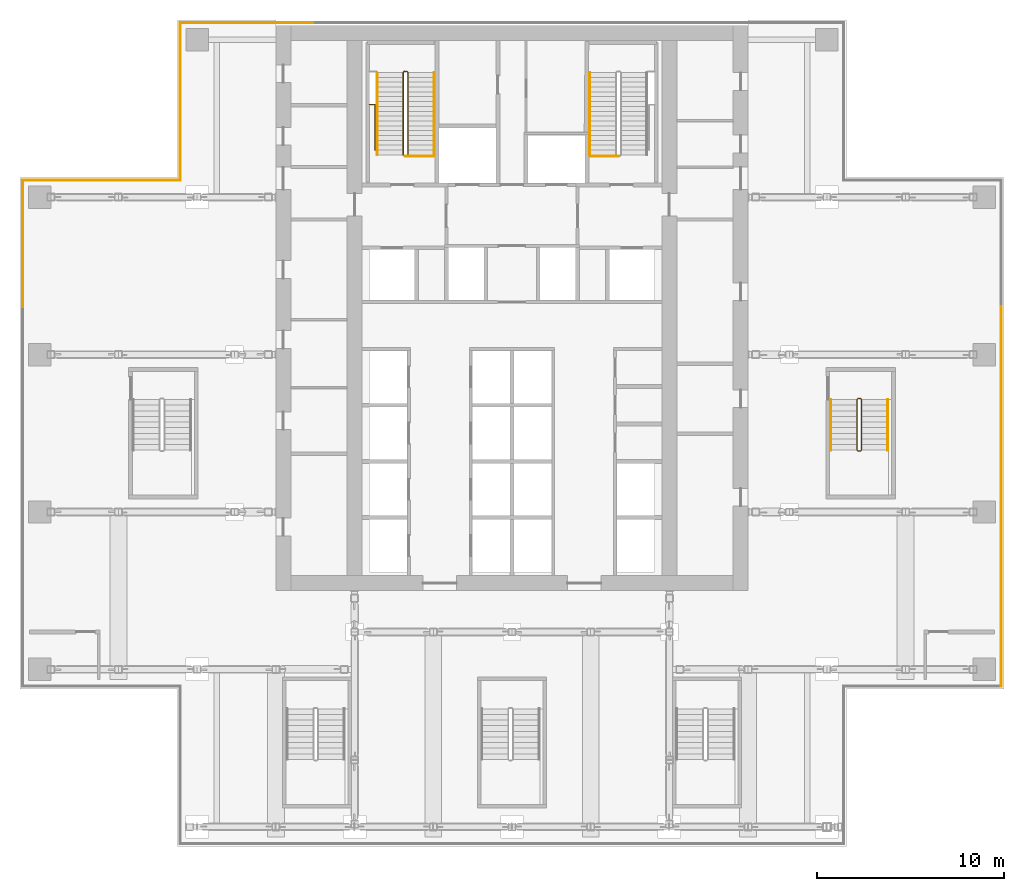
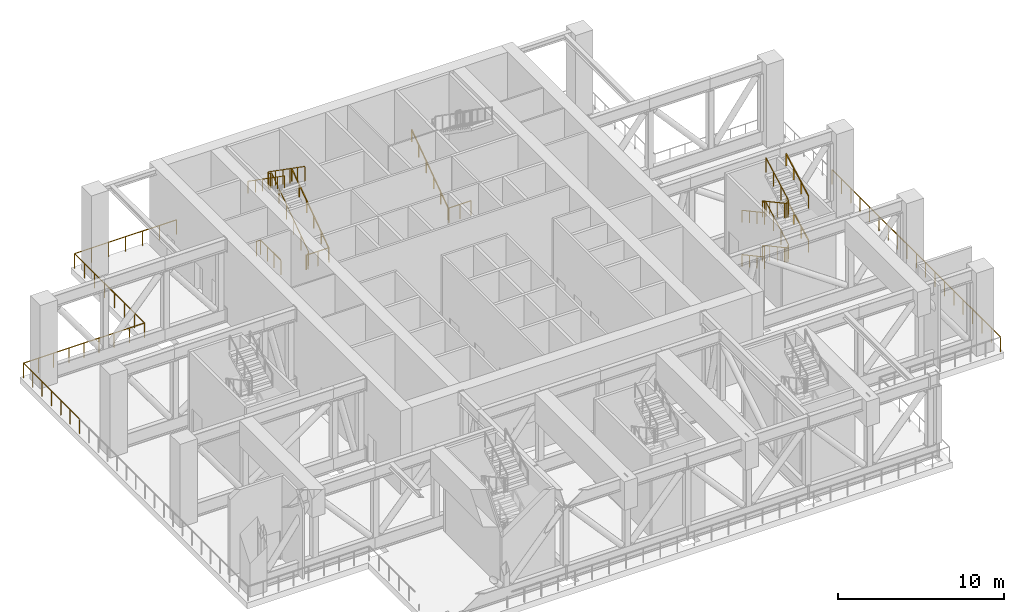
# One storey, part 22 of 23: 19 railings.
"""IFC4 building model written with IfcOpenShell, lengths in metres."""

from ifc_helpers import new_model, si_unit, direction, frame, origin, origin_2d, place, context, subcontext, project, spatial, rectangle, extrude, material, type_object, element, save


model = new_model("IFC4")

# Units and contexts
model_context = context("Model", 3, precision=1e-05, world=origin(), true_north=direction((0.0, 1.0)))
body_context = subcontext(model_context, "Body", "Model", "MODEL_VIEW")
ifc_project = project(units=[si_unit("LENGTHUNIT", "METRE"), si_unit("AREAUNIT", "SQUARE_METRE"), si_unit("VOLUMEUNIT", "CUBIC_METRE"), si_unit("PLANEANGLEUNIT", "RADIAN"), si_unit("MASSUNIT", "GRAM", prefix="KILO")], contexts=[model_context])

# Site, building, storey
site_placement = place(None, origin())
site = spatial("IfcSite", under=ifc_project, at=site_placement, CompositionType="ELEMENT")
building_placement = place(site_placement, origin())
building = spatial("IfcBuilding", under=site, at=building_placement, Name="Vermilion Ogive Tower", CompositionType="ELEMENT")
storey_placement = place(building_placement, frame((0.0, 0.0, 121.800048828125)))
storey = spatial("IfcBuildingStorey", under=building, at=storey_placement, Name="L31", CompositionType="ELEMENT", Elevation=121.800048828125)

# Railings
ifc_material_1 = material(Name="Stainless steel and glass", Category="steel")
railing_type_1 = type_object("IfcRailingType", Name="Edge guard", PredefinedType="GUARDRAIL", material=ifc_material_1)
railing_1_placement = place(storey_placement, frame((-26.10009765625, 6.75, 0.0)))
element("IfcRailing", 1, at=railing_1_placement, inside=storey, type_object=railing_type_1, Name="Open edge guard L31 3.4", PredefinedType="GUARDRAIL", context=body_context, shape_type="SweptSolid", body=[
    extrude(rectangle(XDim=0.048095703125, YDim=0.048095703125, at=origin_2d()), frame((0.0, 0.0, 1.076171875), z_axis=(0.0, 1.0, 0.0), x_axis=(-1.0, 0.0, 0.0)), (0.0, 0.0, 1.0), 6.75),
    extrude(rectangle(XDim=0.0419921875, YDim=0.0419921875, at=origin_2d()), origin(), (0.0, 0.0, 1.0), 1.052001953125),
    extrude(rectangle(XDim=0.0419921875, YDim=0.0419921875, at=origin_2d()), frame((0.0, 1.125, 0.0)), (0.0, 0.0, 1.0), 1.052001953125),
    extrude(rectangle(XDim=0.0419921875, YDim=0.0419921875, at=origin_2d()), frame((0.0, 2.25, 0.0)), (0.0, 0.0, 1.0), 1.052001953125),
    extrude(rectangle(XDim=0.0419921875, YDim=0.0419921875, at=origin_2d()), frame((0.0, 3.375, 0.0)), (0.0, 0.0, 1.0), 1.052001953125),
    extrude(rectangle(XDim=0.0419921875, YDim=0.0419921875, at=origin_2d()), frame((0.0, 4.5, 0.0)), (0.0, 0.0, 1.0), 1.052001953125),
    extrude(rectangle(XDim=0.0419921875, YDim=0.0419921875, at=origin_2d()), frame((0.0, 5.625, 0.0)), (0.0, 0.0, 1.0), 1.052001953125),
    extrude(rectangle(XDim=0.0419921875, YDim=0.0419921875, at=origin_2d()), frame((0.0, 6.75, 0.0)), (0.0, 0.0, 1.0), 1.052001953125),
])
railing_2_placement = place(storey_placement, frame((-26.10009765625, 13.5, 0.0)))
element("IfcRailing", 2, at=railing_2_placement, inside=storey, type_object=railing_type_1, Name="Open edge guard L31 4.1", PredefinedType="GUARDRAIL", context=body_context, shape_type="SweptSolid", body=[
    extrude(rectangle(XDim=0.048095703125, YDim=0.048095703125, at=origin_2d()), frame((0.0, 0.0, 1.076171875), z_axis=(1.0, 0.0, 0.0), x_axis=(0.0, 1.0, 0.0)), (0.0, 0.0, 1.0), 8.400146484375),
    extrude(rectangle(XDim=0.0419921875, YDim=0.0419921875, at=origin_2d()), origin(), (0.0, 0.0, 1.0), 1.052001953125),
    extrude(rectangle(XDim=0.0419921875, YDim=0.0419921875, at=origin_2d()), frame((1.050048828125, 0.0, 0.0)), (0.0, 0.0, 1.0), 1.052001953125),
    extrude(rectangle(XDim=0.0419921875, YDim=0.0419921875, at=origin_2d()), frame((2.10009765625, 0.0, 0.0)), (0.0, 0.0, 1.0), 1.052001953125),
    extrude(rectangle(XDim=0.0419921875, YDim=0.0419921875, at=origin_2d()), frame((3.150146484375, 0.0, 0.0)), (0.0, 0.0, 1.0), 1.052001953125),
    extrude(rectangle(XDim=0.0419921875, YDim=0.0419921875, at=origin_2d()), frame((4.2001953125, 0.0, 0.0)), (0.0, 0.0, 1.0), 1.052001953125),
    extrude(rectangle(XDim=0.0419921875, YDim=0.0419921875, at=origin_2d()), frame((5.25, 0.0, 0.0)), (0.0, 0.0, 1.0), 1.052001953125),
    extrude(rectangle(XDim=0.0419921875, YDim=0.0419921875, at=origin_2d()), frame((6.300048828125, 0.0, 0.0)), (0.0, 0.0, 1.0), 1.052001953125),
    extrude(rectangle(XDim=0.0419921875, YDim=0.0419921875, at=origin_2d()), frame((7.35009765625, 0.0, 0.0)), (0.0, 0.0, 1.0), 1.052001953125),
    extrude(rectangle(XDim=0.0419921875, YDim=0.0419921875, at=origin_2d()), frame((8.400146484375, 0.0, 0.0)), (0.0, 0.0, 1.0), 1.052001953125),
])
railing_3_placement = place(storey_placement, frame((-17.699951171875, 13.5, 0.0)))
element("IfcRailing", 3, at=railing_3_placement, inside=storey, type_object=railing_type_1, Name="Open edge guard L31 5.1", PredefinedType="GUARDRAIL", context=body_context, shape_type="SweptSolid", body=[
    extrude(rectangle(XDim=0.048095703125, YDim=0.048095703125, at=origin_2d()), frame((0.0, 0.0, 1.076171875), z_axis=(0.0, 1.0, 0.0), x_axis=(-1.0, 0.0, 0.0)), (0.0, 0.0, 1.0), 8.39990234375),
    extrude(rectangle(XDim=0.0419921875, YDim=0.0419921875, at=origin_2d()), origin(), (0.0, 0.0, 1.0), 1.052001953125),
    extrude(rectangle(XDim=0.0419921875, YDim=0.0419921875, at=origin_2d()), frame((0.0, 1.199951171875, 0.0)), (0.0, 0.0, 1.0), 1.052001953125),
    extrude(rectangle(XDim=0.0419921875, YDim=0.0419921875, at=origin_2d()), frame((0.0, 2.39990234375, 0.0)), (0.0, 0.0, 1.0), 1.052001953125),
    extrude(rectangle(XDim=0.0419921875, YDim=0.0419921875, at=origin_2d()), frame((0.0, 3.599853515625, 0.0)), (0.0, 0.0, 1.0), 1.052001953125),
    extrude(rectangle(XDim=0.0419921875, YDim=0.0419921875, at=origin_2d()), frame((0.0, 4.800048828125, 0.0)), (0.0, 0.0, 1.0), 1.052001953125),
    extrude(rectangle(XDim=0.0419921875, YDim=0.0419921875, at=origin_2d()), frame((0.0, 6.0, 0.0)), (0.0, 0.0, 1.0), 1.052001953125),
    extrude(rectangle(XDim=0.0419921875, YDim=0.0419921875, at=origin_2d()), frame((0.0, 7.199951171875, 0.0)), (0.0, 0.0, 1.0), 1.052001953125),
    extrude(rectangle(XDim=0.0419921875, YDim=0.0419921875, at=origin_2d()), frame((0.0, 8.39990234375, 0.0)), (0.0, 0.0, 1.0), 1.052001953125),
])
railing_4_placement = place(storey_placement, frame((-17.699951171875, 21.89990234375, 0.0)))
element("IfcRailing", 4, at=railing_4_placement, inside=storey, type_object=railing_type_1, Name="Open edge guard L31 6.1", PredefinedType="GUARDRAIL", context=body_context, shape_type="SweptSolid", body=[
    extrude(rectangle(XDim=0.048095703125, YDim=0.048095703125, at=origin_2d()), frame((0.0, 0.0, 1.076171875), z_axis=(1.0, 0.0, 0.0), x_axis=(0.0, 1.0, 0.0)), (0.0, 0.0, 1.0), 7.079833984375),
    extrude(rectangle(XDim=0.0419921875, YDim=0.0419921875, at=origin_2d()), origin(), (0.0, 0.0, 1.0), 1.052001953125),
    extrude(rectangle(XDim=0.0419921875, YDim=0.0419921875, at=origin_2d()), frame((1.179931640625, 0.0, 0.0)), (0.0, 0.0, 1.0), 1.052001953125),
    extrude(rectangle(XDim=0.0419921875, YDim=0.0419921875, at=origin_2d()), frame((2.35986328125, 0.0, 0.0)), (0.0, 0.0, 1.0), 1.052001953125),
    extrude(rectangle(XDim=0.0419921875, YDim=0.0419921875, at=origin_2d()), frame((3.5400390625, 0.0, 0.0)), (0.0, 0.0, 1.0), 1.052001953125),
    extrude(rectangle(XDim=0.0419921875, YDim=0.0419921875, at=origin_2d()), frame((4.719970703125, 0.0, 0.0)), (0.0, 0.0, 1.0), 1.052001953125),
    extrude(rectangle(XDim=0.0419921875, YDim=0.0419921875, at=origin_2d()), frame((5.89990234375, 0.0, 0.0)), (0.0, 0.0, 1.0), 1.052001953125),
    extrude(rectangle(XDim=0.0419921875, YDim=0.0419921875, at=origin_2d()), frame((7.079833984375, 0.0, 0.0)), (0.0, 0.0, 1.0), 1.052001953125),
])
for number, where, name in (
    (5, (26.10009765625, 6.75, 0.0), "Open edge guard L31 9.2"),
    (6, (26.10009765625, 0.0, 0.0), "Open edge guard L31 9.3"),
    (7, (26.10009765625, -6.75, 0.0), "Open edge guard L31 9.4"),
):
    element("IfcRailing", number, at=place(storey_placement, frame(where)), inside=storey, type_object=railing_type_1, Name=name, PredefinedType="GUARDRAIL", context=body_context, shape_type="SweptSolid", body=[
        extrude(rectangle(XDim=0.048095703125, YDim=0.048095703125, at=origin_2d()), frame((0.0, 0.0, 1.076171875), z_axis=(0.0, -1.0, 0.0), x_axis=(1.0, 0.0, 0.0)), (0.0, 0.0, 1.0), 6.75),
        extrude(rectangle(XDim=0.0419921875, YDim=0.0419921875, at=origin_2d()), origin(), (0.0, 0.0, 1.0), 1.052001953125),
        extrude(rectangle(XDim=0.0419921875, YDim=0.0419921875, at=origin_2d()), frame((0.0, -1.125, 0.0)), (0.0, 0.0, 1.0), 1.052001953125),
        extrude(rectangle(XDim=0.0419921875, YDim=0.0419921875, at=origin_2d()), frame((0.0, -2.25, 0.0)), (0.0, 0.0, 1.0), 1.052001953125),
        extrude(rectangle(XDim=0.0419921875, YDim=0.0419921875, at=origin_2d()), frame((0.0, -3.375, 0.0)), (0.0, 0.0, 1.0), 1.052001953125),
        extrude(rectangle(XDim=0.0419921875, YDim=0.0419921875, at=origin_2d()), frame((0.0, -4.5, 0.0)), (0.0, 0.0, 1.0), 1.052001953125),
        extrude(rectangle(XDim=0.0419921875, YDim=0.0419921875, at=origin_2d()), frame((0.0, -5.625, 0.0)), (0.0, 0.0, 1.0), 1.052001953125),
        extrude(rectangle(XDim=0.0419921875, YDim=0.0419921875, at=origin_2d()), frame((0.0, -6.75, 0.0)), (0.0, 0.0, 1.0), 1.052001953125),
    ])
ifc_material_2 = material(Name="Steel S355 painted", Category="steel")
railing_type_2 = type_object("IfcRailingType", Name="Stair guard 1100", PredefinedType="GUARDRAIL", material=ifc_material_2)
railing_5_placement = place(storey_placement, frame((-5.75, 14.800048828125, 0.0)))
element("IfcRailing", 8, at=railing_5_placement, inside=storey, type_object=railing_type_2, Name="L31 ST1 stair guard 4", PredefinedType="GUARDRAIL", context=body_context, shape_type="SweptSolid", body=[
    extrude(rectangle(XDim=0.048095703125, YDim=0.048095703125, at=origin_2d()), frame((0.0, 0.0, 1.076171875), z_axis=(1.0, 0.0, 0.0), x_axis=(0.0, 1.0, 0.0)), (0.0, 0.0, 1.0), 0.14990234375),
    extrude(rectangle(XDim=0.048095703125, YDim=0.048095703125, at=origin_2d()), frame((0.14990234375, 0.0, 1.076171875), z_axis=(0.258240678652, 0.258240678652, 0.930926153773), x_axis=(-0.707106781187, 0.707106781187, 0.0)), (0.0, 0.0, 1.0), 0.19384765625),
    extrude(rectangle(XDim=0.048095703125, YDim=0.048095703125, at=origin_2d()), frame((0.199951171875, 0.050048828125, 1.25634765625), z_axis=(0.0, 0.820137383327, 0.572166647463), x_axis=(-1.0, 0.0, 0.0)), (0.0, 0.0, 1.0), 5.36474609375),
    extrude(rectangle(XDim=0.048095703125, YDim=0.048095703125, at=origin_2d()), frame((0.199951171875, 4.449951171875, 4.326171875), z_axis=(-0.707106781187, 0.707106781187, 0.0), x_axis=(-0.707106781187, -0.707106781187, 0.0)), (0.0, 0.0, 1.0), 0.07080078125),
    extrude(rectangle(XDim=0.048095703125, YDim=0.048095703125, at=origin_2d()), frame((0.14990234375, 4.5, 4.326171875), z_axis=(-1.0, 0.0, 0.0), x_axis=(0.0, -1.0, 0.0)), (0.0, 0.0, 1.0), 0.14990234375),
    extrude(rectangle(XDim=0.048095703125, YDim=0.048095703125, at=origin_2d()), frame((0.0, 4.5, 4.326171875), z_axis=(-0.258240678652, -0.258240678652, 0.930926153773), x_axis=(0.707106781187, -0.707106781187, 0.0)), (0.0, 0.0, 1.0), 0.19384765625),
    extrude(rectangle(XDim=0.048095703125, YDim=0.048095703125, at=origin_2d()), frame((-0.050048828125, 4.449951171875, 4.50634765625), z_axis=(0.0, -0.820137383327, 0.572166647463), x_axis=(1.0, 0.0, 0.0)), (0.0, 0.0, 1.0), 5.36474609375),
    extrude(rectangle(XDim=0.0419921875, YDim=0.0419921875, at=origin_2d()), origin(), (0.0, 0.0, 1.0), 1.052001953125),
    extrude(rectangle(XDim=0.0419921875, YDim=0.0419921875, at=origin_2d()), frame((0.14990234375, 0.0, 0.0)), (0.0, 0.0, 1.0), 1.052001953125),
    extrude(rectangle(XDim=0.0419921875, YDim=0.0419921875, at=origin_2d()), frame((0.199951171875, 0.050048828125, 0.180419921875)), (0.0, 0.0, 1.0), 1.052001953125),
    extrude(rectangle(XDim=0.0419921875, YDim=0.0419921875, at=origin_2d()), frame((0.199951171875, 0.929931640625, 0.79443359375)), (0.0, 0.0, 1.0), 1.052001953125),
    extrude(rectangle(XDim=0.0419921875, YDim=0.0419921875, at=origin_2d()), frame((0.199951171875, 1.81005859375, 1.408203125)), (0.0, 0.0, 1.0), 1.052001953125),
    extrude(rectangle(XDim=0.0419921875, YDim=0.0419921875, at=origin_2d()), frame((0.199951171875, 2.68994140625, 2.022216796875)), (0.0, 0.0, 1.0), 1.052001953125),
    extrude(rectangle(XDim=0.0419921875, YDim=0.0419921875, at=origin_2d()), frame((0.199951171875, 3.570068359375, 2.635986328125)), (0.0, 0.0, 1.0), 1.052001953125),
    extrude(rectangle(XDim=0.0419921875, YDim=0.0419921875, at=origin_2d()), frame((0.199951171875, 4.449951171875, 3.25)), (0.0, 0.0, 1.0), 1.052001953125),
    extrude(rectangle(XDim=0.0419921875, YDim=0.0419921875, at=origin_2d()), frame((0.14990234375, 4.5, 3.25)), (0.0, 0.0, 1.0), 1.052001953125),
    extrude(rectangle(XDim=0.0419921875, YDim=0.0419921875, at=origin_2d()), frame((0.0, 4.5, 3.25)), (0.0, 0.0, 1.0), 1.052001953125),
    extrude(rectangle(XDim=0.0419921875, YDim=0.0419921875, at=origin_2d()), frame((-0.050048828125, 4.449951171875, 3.430419921875)), (0.0, 0.0, 1.0), 1.052001953125),
    extrude(rectangle(XDim=0.0419921875, YDim=0.0419921875, at=origin_2d()), frame((-0.050048828125, 3.570068359375, 4.04443359375)), (0.0, 0.0, 1.0), 1.052001953125),
    extrude(rectangle(XDim=0.0419921875, YDim=0.0419921875, at=origin_2d()), frame((-0.050048828125, 2.68994140625, 4.658203125)), (0.0, 0.0, 1.0), 1.052001953125),
    extrude(rectangle(XDim=0.0419921875, YDim=0.0419921875, at=origin_2d()), frame((-0.050048828125, 1.81005859375, 5.272216796875)), (0.0, 0.0, 1.0), 1.052001953125),
    extrude(rectangle(XDim=0.0419921875, YDim=0.0419921875, at=origin_2d()), frame((-0.050048828125, 0.929931640625, 5.885986328125)), (0.0, 0.0, 1.0), 1.052001953125),
    extrude(rectangle(XDim=0.0419921875, YDim=0.0419921875, at=origin_2d()), frame((-0.050048828125, 0.050048828125, 6.5)), (0.0, 0.0, 1.0), 1.052001953125),
])
railing_6_placement = place(storey_placement, frame((18.60009765625, 1.85009765625, 0.0)))
element("IfcRailing", 9, at=railing_6_placement, inside=storey, type_object=railing_type_2, Name="L31 ST8 stair guard 8", PredefinedType="GUARDRAIL", context=body_context, shape_type="SweptSolid", body=[
    extrude(rectangle(XDim=0.048095703125, YDim=0.048095703125, at=origin_2d()), frame((0.0, 0.0, 1.076171875), z_axis=(-1.0, 0.0, 0.0), x_axis=(0.0, -1.0, 0.0)), (0.0, 0.0, 1.0), 0.150146484375),
    extrude(rectangle(XDim=0.048095703125, YDim=0.048095703125, at=origin_2d()), frame((-0.150146484375, 0.0, 1.076171875), z_axis=(-0.282583949758, -0.282583949758, 0.916674763849), x_axis=(0.707106781187, -0.707106781187, 0.0)), (0.0, 0.0, 1.0), 0.177001953125),
    extrude(rectangle(XDim=0.048095703125, YDim=0.048095703125, at=origin_2d()), frame((-0.2001953125, -0.050048828125, 1.23828125), z_axis=(0.0, -0.879268380148, 0.476326690069), x_axis=(1.0, 0.0, 0.0)), (0.0, 0.0, 1.0), 3.07080078125),
    extrude(rectangle(XDim=0.048095703125, YDim=0.048095703125, at=origin_2d()), frame((-0.2001953125, -2.75, 2.701171875), z_axis=(0.707106781187, -0.707106781187, 0.0), x_axis=(0.707106781187, 0.707106781187, 0.0)), (0.0, 0.0, 1.0), 0.07080078125),
    extrude(rectangle(XDim=0.048095703125, YDim=0.048095703125, at=origin_2d()), frame((-0.150146484375, -2.800048828125, 2.701171875), z_axis=(1.0, 0.0, 0.0), x_axis=(0.0, 1.0, 0.0)), (0.0, 0.0, 1.0), 0.150146484375),
    extrude(rectangle(XDim=0.048095703125, YDim=0.048095703125, at=origin_2d()), frame((0.0, -2.800048828125, 2.701171875), z_axis=(0.281314826061, 0.282693820306, 0.917031173188), x_axis=(-0.708833529934, 0.705375805398, 0.0)), (0.0, 0.0, 1.0), 0.177001953125),
    extrude(rectangle(XDim=0.048095703125, YDim=0.048095703125, at=origin_2d()), frame((0.0498046875, -2.75, 2.86328125), z_axis=(0.0, 0.879268380148, 0.476326690069), x_axis=(-1.0, 0.0, 0.0)), (0.0, 0.0, 1.0), 3.07080078125),
    extrude(rectangle(XDim=0.048095703125, YDim=0.048095703125, at=origin_2d()), frame((0.0498046875, -0.050048828125, 4.326171875), z_axis=(-0.705375805398, 0.708833529934, 0.0), x_axis=(-0.708833529934, -0.705375805398, 0.0)), (0.0, 0.0, 1.0), 0.070556640625),
    extrude(rectangle(XDim=0.048095703125, YDim=0.048095703125, at=origin_2d()), frame((0.0, 0.0, 4.326171875), z_axis=(-1.0, 0.0, 0.0), x_axis=(0.0, -1.0, 0.0)), (0.0, 0.0, 1.0), 0.150146484375),
    extrude(rectangle(XDim=0.048095703125, YDim=0.048095703125, at=origin_2d()), frame((-0.150146484375, 0.0, 4.326171875), z_axis=(-0.282583949758, -0.282583949758, 0.916674763849), x_axis=(0.707106781187, -0.707106781187, 0.0)), (0.0, 0.0, 1.0), 0.177001953125),
    extrude(rectangle(XDim=0.048095703125, YDim=0.048095703125, at=origin_2d()), frame((-0.2001953125, -0.050048828125, 4.48828125), z_axis=(0.0, -0.879268380148, 0.476326690069), x_axis=(1.0, 0.0, 0.0)), (0.0, 0.0, 1.0), 3.07080078125),
    extrude(rectangle(XDim=0.048095703125, YDim=0.048095703125, at=origin_2d()), frame((-0.2001953125, -2.75, 5.951171875), z_axis=(0.707106781187, -0.707106781187, 0.0), x_axis=(0.707106781187, 0.707106781187, 0.0)), (0.0, 0.0, 1.0), 0.07080078125),
    extrude(rectangle(XDim=0.048095703125, YDim=0.048095703125, at=origin_2d()), frame((-0.150146484375, -2.800048828125, 5.951171875), z_axis=(1.0, 0.0, 0.0), x_axis=(0.0, 1.0, 0.0)), (0.0, 0.0, 1.0), 0.150146484375),
    extrude(rectangle(XDim=0.048095703125, YDim=0.048095703125, at=origin_2d()), frame((0.0, -2.800048828125, 5.951171875), z_axis=(0.281314826061, 0.282693820306, 0.917031173188), x_axis=(-0.708833529934, 0.705375805398, 0.0)), (0.0, 0.0, 1.0), 0.177001953125),
    extrude(rectangle(XDim=0.048095703125, YDim=0.048095703125, at=origin_2d()), frame((0.0498046875, -2.75, 6.11328125), z_axis=(0.0, 0.879268380148, 0.476326690069), x_axis=(-1.0, 0.0, 0.0)), (0.0, 0.0, 1.0), 3.07080078125),
    extrude(rectangle(XDim=0.0419921875, YDim=0.0419921875, at=origin_2d()), origin(), (0.0, 0.0, 1.0), 1.052001953125),
    extrude(rectangle(XDim=0.0419921875, YDim=0.0419921875, at=origin_2d()), frame((-0.150146484375, 0.0, 0.0)), (0.0, 0.0, 1.0), 1.052001953125),
    extrude(rectangle(XDim=0.0419921875, YDim=0.0419921875, at=origin_2d()), frame((-0.2001953125, -0.050048828125, 0.162353515625)), (0.0, 0.0, 1.0), 1.052001953125),
    extrude(rectangle(XDim=0.0419921875, YDim=0.0419921875, at=origin_2d()), frame((-0.2001953125, -0.949951171875, 0.64990234375)), (0.0, 0.0, 1.0), 1.052001953125),
    extrude(rectangle(XDim=0.0419921875, YDim=0.0419921875, at=origin_2d()), frame((-0.2001953125, -1.85009765625, 1.137451171875)), (0.0, 0.0, 1.0), 1.052001953125),
    extrude(rectangle(XDim=0.0419921875, YDim=0.0419921875, at=origin_2d()), frame((-0.2001953125, -2.75, 1.625)), (0.0, 0.0, 1.0), 1.052001953125),
    extrude(rectangle(XDim=0.0419921875, YDim=0.0419921875, at=origin_2d()), frame((-0.150146484375, -2.800048828125, 1.625)), (0.0, 0.0, 1.0), 1.052001953125),
    extrude(rectangle(XDim=0.0419921875, YDim=0.0419921875, at=origin_2d()), frame((0.0, -2.800048828125, 1.625)), (0.0, 0.0, 1.0), 1.052001953125),
    extrude(rectangle(XDim=0.0419921875, YDim=0.0419921875, at=origin_2d()), frame((0.0498046875, -2.75, 1.787353515625)), (0.0, 0.0, 1.0), 1.052001953125),
    extrude(rectangle(XDim=0.0419921875, YDim=0.0419921875, at=origin_2d()), frame((0.0498046875, -1.85009765625, 2.27490234375)), (0.0, 0.0, 1.0), 1.052001953125),
    extrude(rectangle(XDim=0.0419921875, YDim=0.0419921875, at=origin_2d()), frame((0.0498046875, -0.949951171875, 2.762451171875)), (0.0, 0.0, 1.0), 1.052001953125),
    extrude(rectangle(XDim=0.0419921875, YDim=0.0419921875, at=origin_2d()), frame((0.0498046875, -0.050048828125, 3.25)), (0.0, 0.0, 1.0), 1.052001953125),
    extrude(rectangle(XDim=0.0419921875, YDim=0.0419921875, at=origin_2d()), frame((0.0, 0.0, 3.25)), (0.0, 0.0, 1.0), 1.052001953125),
    extrude(rectangle(XDim=0.0419921875, YDim=0.0419921875, at=origin_2d()), frame((-0.150146484375, 0.0, 3.25)), (0.0, 0.0, 1.0), 1.052001953125),
    extrude(rectangle(XDim=0.0419921875, YDim=0.0419921875, at=origin_2d()), frame((-0.2001953125, -0.050048828125, 3.412353515625)), (0.0, 0.0, 1.0), 1.052001953125),
    extrude(rectangle(XDim=0.0419921875, YDim=0.0419921875, at=origin_2d()), frame((-0.2001953125, -0.949951171875, 3.89990234375)), (0.0, 0.0, 1.0), 1.052001953125),
    extrude(rectangle(XDim=0.0419921875, YDim=0.0419921875, at=origin_2d()), frame((-0.2001953125, -1.85009765625, 4.387451171875)), (0.0, 0.0, 1.0), 1.052001953125),
    extrude(rectangle(XDim=0.0419921875, YDim=0.0419921875, at=origin_2d()), frame((-0.2001953125, -2.75, 4.875)), (0.0, 0.0, 1.0), 1.052001953125),
    extrude(rectangle(XDim=0.0419921875, YDim=0.0419921875, at=origin_2d()), frame((-0.150146484375, -2.800048828125, 4.875)), (0.0, 0.0, 1.0), 1.052001953125),
    extrude(rectangle(XDim=0.0419921875, YDim=0.0419921875, at=origin_2d()), frame((0.0, -2.800048828125, 4.875)), (0.0, 0.0, 1.0), 1.052001953125),
    extrude(rectangle(XDim=0.0419921875, YDim=0.0419921875, at=origin_2d()), frame((0.0498046875, -2.75, 5.037353515625)), (0.0, 0.0, 1.0), 1.052001953125),
    extrude(rectangle(XDim=0.0419921875, YDim=0.0419921875, at=origin_2d()), frame((0.0498046875, -1.85009765625, 5.52490234375)), (0.0, 0.0, 1.0), 1.052001953125),
    extrude(rectangle(XDim=0.0419921875, YDim=0.0419921875, at=origin_2d()), frame((0.0498046875, -0.949951171875, 6.012451171875)), (0.0, 0.0, 1.0), 1.052001953125),
    extrude(rectangle(XDim=0.0419921875, YDim=0.0419921875, at=origin_2d()), frame((0.0498046875, -0.050048828125, 6.5)), (0.0, 0.0, 1.0), 1.052001953125),
])
railing_7_placement = place(storey_placement, frame((-4.159912109375, 14.7900390625, 0.0)))
element("IfcRailing", 10, at=railing_7_placement, inside=storey, type_object=railing_type_2, Name="L31 stair opening guard", PredefinedType="GUARDRAIL", context=body_context, shape_type="SweptSolid", body=[
    extrude(rectangle(XDim=0.048095703125, YDim=0.048095703125, at=origin_2d()), frame((0.0, 0.0, 1.076171875), z_axis=(-1.0, 0.0, 0.0), x_axis=(0.0, -1.0, 0.0)), (0.0, 0.0, 1.0), 1.5400390625),
    extrude(rectangle(XDim=0.0419921875, YDim=0.0419921875, at=origin_2d()), origin(), (0.0, 0.0, 1.0), 1.052001953125),
    extrude(rectangle(XDim=0.0419921875, YDim=0.0419921875, at=origin_2d()), frame((-0.77001953125, 0.0, 0.0)), (0.0, 0.0, 1.0), 1.052001953125),
    extrude(rectangle(XDim=0.0419921875, YDim=0.0419921875, at=origin_2d()), frame((-1.5400390625, 0.0, 0.0)), (0.0, 0.0, 1.0), 1.052001953125),
])
railing_8_placement = place(storey_placement, frame((-7.3095703125, 15.11865234375, 0.0)))
element("IfcRailing", 11, at=railing_8_placement, inside=storey, type_object=railing_type_2, Name="L31 stair opening guard", PredefinedType="GUARDRAIL", context=body_context, shape_type="SweptSolid", body=[
    extrude(rectangle(XDim=0.048095703125, YDim=0.048095703125, at=origin_2d()), frame((0.0, 0.0, 1.076171875), z_axis=(0.0, 1.0, 0.0), x_axis=(-1.0, 0.0, 0.0)), (0.0, 0.0, 1.0), 2.42431640625),
    extrude(rectangle(XDim=0.048095703125, YDim=0.048095703125, at=origin_2d()), frame((0.0, 2.42431640625, 1.076171875), z_axis=(-1.0, 0.0, 0.0), x_axis=(0.0, -1.0, 0.0)), (0.0, 0.0, 1.0), 0.2900390625),
    extrude(rectangle(XDim=0.0419921875, YDim=0.0419921875, at=origin_2d()), origin(), (0.0, 0.0, 1.0), 1.052001953125),
    extrude(rectangle(XDim=0.0419921875, YDim=0.0419921875, at=origin_2d()), frame((0.0, 0.80810546875, 0.0)), (0.0, 0.0, 1.0), 1.052001953125),
    extrude(rectangle(XDim=0.0419921875, YDim=0.0419921875, at=origin_2d()), frame((0.0, 1.6162109375, 0.0)), (0.0, 0.0, 1.0), 1.052001953125),
    extrude(rectangle(XDim=0.0419921875, YDim=0.0419921875, at=origin_2d()), frame((0.0, 2.42431640625, 0.0)), (0.0, 0.0, 1.0), 1.052001953125),
    extrude(rectangle(XDim=0.0419921875, YDim=0.0419921875, at=origin_2d()), frame((-0.2900390625, 2.42431640625, 0.0)), (0.0, 0.0, 1.0), 1.052001953125),
])
railing_9_placement = place(storey_placement, frame((5.699951171875, 14.7900390625, 0.0)))
element("IfcRailing", 12, at=railing_9_placement, inside=storey, type_object=railing_type_2, Name="L31 stair opening guard", PredefinedType="GUARDRAIL", context=body_context, shape_type="SweptSolid", body=[
    extrude(rectangle(XDim=0.048095703125, YDim=0.048095703125, at=origin_2d()), frame((0.0, 0.0, 1.076171875), z_axis=(-1.0, 0.0, 0.0), x_axis=(0.0, -1.0, 0.0)), (0.0, 0.0, 1.0), 1.5400390625),
    extrude(rectangle(XDim=0.0419921875, YDim=0.0419921875, at=origin_2d()), origin(), (0.0, 0.0, 1.0), 1.052001953125),
    extrude(rectangle(XDim=0.0419921875, YDim=0.0419921875, at=origin_2d()), frame((-0.77001953125, 0.0, 0.0)), (0.0, 0.0, 1.0), 1.052001953125),
    extrude(rectangle(XDim=0.0419921875, YDim=0.0419921875, at=origin_2d()), frame((-1.5400390625, 0.0, 0.0)), (0.0, 0.0, 1.0), 1.052001953125),
])
ifc_material_3 = material(Name="Stainless steel", Category="steel")
railing_type_3 = type_object("IfcRailingType", Name="Stair handrail 900", PredefinedType="HANDRAIL", material=ifc_material_3)
railing_10_placement = place(storey_placement, frame((-4.14990234375, 14.85009765625, 0.180419921875)))
element("IfcRailing", 13, at=railing_10_placement, inside=storey, type_object=railing_type_3, Name="L31 ST1 stair handrail 1", PredefinedType="HANDRAIL", context=body_context, shape_type="SweptSolid", body=[
    extrude(rectangle(XDim=0.048095703125, YDim=0.048095703125, at=origin_2d()), frame((0.0, 0.0, 0.8759765625), z_axis=(0.0, 0.820137383327, 0.572166647463), x_axis=(-1.0, 0.0, 0.0)), (0.0, 0.0, 1.0), 5.36474609375),
    extrude(rectangle(XDim=0.0419921875, YDim=0.0419921875, at=origin_2d()), origin(), (0.0, 0.0, 1.0), 0.851806640625),
    extrude(rectangle(XDim=0.0419921875, YDim=0.0419921875, at=origin_2d()), frame((0.0, 0.8798828125, 0.614013671875)), (0.0, 0.0, 1.0), 0.851806640625),
    extrude(rectangle(XDim=0.0419921875, YDim=0.0419921875, at=origin_2d()), frame((0.0, 1.760009765625, 1.227783203125)), (0.0, 0.0, 1.0), 0.851806640625),
    extrude(rectangle(XDim=0.0419921875, YDim=0.0419921875, at=origin_2d()), frame((0.0, 2.639892578125, 1.841796875)), (0.0, 0.0, 1.0), 0.851806640625),
    extrude(rectangle(XDim=0.0419921875, YDim=0.0419921875, at=origin_2d()), frame((0.0, 3.52001953125, 2.45556640625)), (0.0, 0.0, 1.0), 0.851806640625),
    extrude(rectangle(XDim=0.0419921875, YDim=0.0419921875, at=origin_2d()), frame((0.0, 4.39990234375, 3.069580078125)), (0.0, 0.0, 1.0), 0.851806640625),
])
railing_11_placement = place(storey_placement, frame((-7.199951171875, 19.25, 3.430419921875)))
element("IfcRailing", 14, at=railing_11_placement, inside=storey, type_object=railing_type_3, Name="L31 ST1 stair handrail 2", PredefinedType="HANDRAIL", context=body_context, shape_type="SweptSolid", body=[
    extrude(rectangle(XDim=0.048095703125, YDim=0.048095703125, at=origin_2d()), frame((0.0, 0.0, 0.8759765625), z_axis=(0.0, -0.820137383327, 0.572166647463), x_axis=(1.0, 0.0, 0.0)), (0.0, 0.0, 1.0), 5.36474609375),
    extrude(rectangle(XDim=0.0419921875, YDim=0.0419921875, at=origin_2d()), origin(), (0.0, 0.0, 1.0), 0.851806640625),
    extrude(rectangle(XDim=0.0419921875, YDim=0.0419921875, at=origin_2d()), frame((0.0, -0.8798828125, 0.614013671875)), (0.0, 0.0, 1.0), 0.851806640625),
    extrude(rectangle(XDim=0.0419921875, YDim=0.0419921875, at=origin_2d()), frame((0.0, -1.760009765625, 1.227783203125)), (0.0, 0.0, 1.0), 0.851806640625),
    extrude(rectangle(XDim=0.0419921875, YDim=0.0419921875, at=origin_2d()), frame((0.0, -2.639892578125, 1.841796875)), (0.0, 0.0, 1.0), 0.851806640625),
    extrude(rectangle(XDim=0.0419921875, YDim=0.0419921875, at=origin_2d()), frame((0.0, -3.52001953125, 2.45556640625)), (0.0, 0.0, 1.0), 0.851806640625),
    extrude(rectangle(XDim=0.0419921875, YDim=0.0419921875, at=origin_2d()), frame((0.0, -4.39990234375, 3.069580078125)), (0.0, 0.0, 1.0), 0.851806640625),
])
railing_12_placement = place(storey_placement, frame((4.14990234375, 14.85009765625, 0.180419921875)))
element("IfcRailing", 15, at=railing_12_placement, inside=storey, type_object=railing_type_3, Name="L31 ST2 stair handrail 1", PredefinedType="HANDRAIL", context=body_context, shape_type="SweptSolid", body=[
    extrude(rectangle(XDim=0.048095703125, YDim=0.048095703125, at=origin_2d()), frame((0.0, 0.0, 0.8759765625), z_axis=(0.0, 0.820137383327, 0.572166647463), x_axis=(-1.0, 0.0, 0.0)), (0.0, 0.0, 1.0), 5.36474609375),
    extrude(rectangle(XDim=0.0419921875, YDim=0.0419921875, at=origin_2d()), origin(), (0.0, 0.0, 1.0), 0.851806640625),
    extrude(rectangle(XDim=0.0419921875, YDim=0.0419921875, at=origin_2d()), frame((0.0, 0.8798828125, 0.614013671875)), (0.0, 0.0, 1.0), 0.851806640625),
    extrude(rectangle(XDim=0.0419921875, YDim=0.0419921875, at=origin_2d()), frame((0.0, 1.760009765625, 1.227783203125)), (0.0, 0.0, 1.0), 0.851806640625),
    extrude(rectangle(XDim=0.0419921875, YDim=0.0419921875, at=origin_2d()), frame((0.0, 2.639892578125, 1.841796875)), (0.0, 0.0, 1.0), 0.851806640625),
    extrude(rectangle(XDim=0.0419921875, YDim=0.0419921875, at=origin_2d()), frame((0.0, 3.52001953125, 2.45556640625)), (0.0, 0.0, 1.0), 0.851806640625),
    extrude(rectangle(XDim=0.0419921875, YDim=0.0419921875, at=origin_2d()), frame((0.0, 4.39990234375, 3.069580078125)), (0.0, 0.0, 1.0), 0.851806640625),
])
railing_13_placement = place(storey_placement, frame((17.0, 1.800048828125, 0.162353515625)))
element("IfcRailing", 16, at=railing_13_placement, inside=storey, type_object=railing_type_3, Name="L31 ST8 stair handrail 1", PredefinedType="HANDRAIL", context=body_context, shape_type="SweptSolid", body=[
    extrude(rectangle(XDim=0.048095703125, YDim=0.048095703125, at=origin_2d()), frame((0.0, 0.0, 0.8759765625), z_axis=(0.0, -0.879268380148, 0.476326690069), x_axis=(1.0, 0.0, 0.0)), (0.0, 0.0, 1.0), 3.07080078125),
    extrude(rectangle(XDim=0.0419921875, YDim=0.0419921875, at=origin_2d()), origin(), (0.0, 0.0, 1.0), 0.851806640625),
    extrude(rectangle(XDim=0.0419921875, YDim=0.0419921875, at=origin_2d()), frame((0.0, -0.89990234375, 0.487548828125)), (0.0, 0.0, 1.0), 0.851806640625),
    extrude(rectangle(XDim=0.0419921875, YDim=0.0419921875, at=origin_2d()), frame((0.0, -1.800048828125, 0.97509765625)), (0.0, 0.0, 1.0), 0.851806640625),
    extrude(rectangle(XDim=0.0419921875, YDim=0.0419921875, at=origin_2d()), frame((0.0, -2.699951171875, 1.462646484375)), (0.0, 0.0, 1.0), 0.851806640625),
])
railing_14_placement = place(storey_placement, frame((20.050048828125, -0.89990234375, 1.787353515625)))
element("IfcRailing", 17, at=railing_14_placement, inside=storey, type_object=railing_type_3, Name="L31 ST8 stair handrail 2", PredefinedType="HANDRAIL", context=body_context, shape_type="SweptSolid", body=[
    extrude(rectangle(XDim=0.048095703125, YDim=0.048095703125, at=origin_2d()), frame((0.0, 0.0, 0.8759765625), z_axis=(0.0, 0.879268380148, 0.476326690069), x_axis=(-1.0, 0.0, 0.0)), (0.0, 0.0, 1.0), 3.07080078125),
    extrude(rectangle(XDim=0.0419921875, YDim=0.0419921875, at=origin_2d()), origin(), (0.0, 0.0, 1.0), 0.851806640625),
    extrude(rectangle(XDim=0.0419921875, YDim=0.0419921875, at=origin_2d()), frame((0.0, 0.89990234375, 0.487548828125)), (0.0, 0.0, 1.0), 0.851806640625),
    extrude(rectangle(XDim=0.0419921875, YDim=0.0419921875, at=origin_2d()), frame((0.0, 1.800048828125, 0.97509765625)), (0.0, 0.0, 1.0), 0.851806640625),
    extrude(rectangle(XDim=0.0419921875, YDim=0.0419921875, at=origin_2d()), frame((0.0, 2.699951171875, 1.462646484375)), (0.0, 0.0, 1.0), 0.851806640625),
])
railing_15_placement = place(storey_placement, frame((17.0, 1.800048828125, 3.412353515625)))
element("IfcRailing", 18, at=railing_15_placement, inside=storey, type_object=railing_type_3, Name="L31 ST8 stair handrail 3", PredefinedType="HANDRAIL", context=body_context, shape_type="SweptSolid", body=[
    extrude(rectangle(XDim=0.048095703125, YDim=0.048095703125, at=origin_2d()), frame((0.0, 0.0, 0.8759765625), z_axis=(0.0, -0.879268380148, 0.476326690069), x_axis=(1.0, 0.0, 0.0)), (0.0, 0.0, 1.0), 3.07080078125),
    extrude(rectangle(XDim=0.0419921875, YDim=0.0419921875, at=origin_2d()), origin(), (0.0, 0.0, 1.0), 0.851806640625),
    extrude(rectangle(XDim=0.0419921875, YDim=0.0419921875, at=origin_2d()), frame((0.0, -0.89990234375, 0.487548828125)), (0.0, 0.0, 1.0), 0.851806640625),
    extrude(rectangle(XDim=0.0419921875, YDim=0.0419921875, at=origin_2d()), frame((0.0, -1.800048828125, 0.97509765625)), (0.0, 0.0, 1.0), 0.851806640625),
    extrude(rectangle(XDim=0.0419921875, YDim=0.0419921875, at=origin_2d()), frame((0.0, -2.699951171875, 1.462646484375)), (0.0, 0.0, 1.0), 0.851806640625),
])
railing_16_placement = place(storey_placement, frame((20.050048828125, -0.89990234375, 5.037353515625)))
element("IfcRailing", 19, at=railing_16_placement, inside=storey, type_object=railing_type_3, Name="L31 ST8 stair handrail 4", PredefinedType="HANDRAIL", context=body_context, shape_type="SweptSolid", body=[
    extrude(rectangle(XDim=0.048095703125, YDim=0.048095703125, at=origin_2d()), frame((0.0, 0.0, 0.8759765625), z_axis=(0.0, 0.879268380148, 0.476326690069), x_axis=(-1.0, 0.0, 0.0)), (0.0, 0.0, 1.0), 3.07080078125),
    extrude(rectangle(XDim=0.0419921875, YDim=0.0419921875, at=origin_2d()), origin(), (0.0, 0.0, 1.0), 0.851806640625),
    extrude(rectangle(XDim=0.0419921875, YDim=0.0419921875, at=origin_2d()), frame((0.0, 0.89990234375, 0.487548828125)), (0.0, 0.0, 1.0), 0.851806640625),
    extrude(rectangle(XDim=0.0419921875, YDim=0.0419921875, at=origin_2d()), frame((0.0, 1.800048828125, 0.97509765625)), (0.0, 0.0, 1.0), 0.851806640625),
    extrude(rectangle(XDim=0.0419921875, YDim=0.0419921875, at=origin_2d()), frame((0.0, 2.699951171875, 1.462646484375)), (0.0, 0.0, 1.0), 0.851806640625),
])

save(model, "model.ifc")
